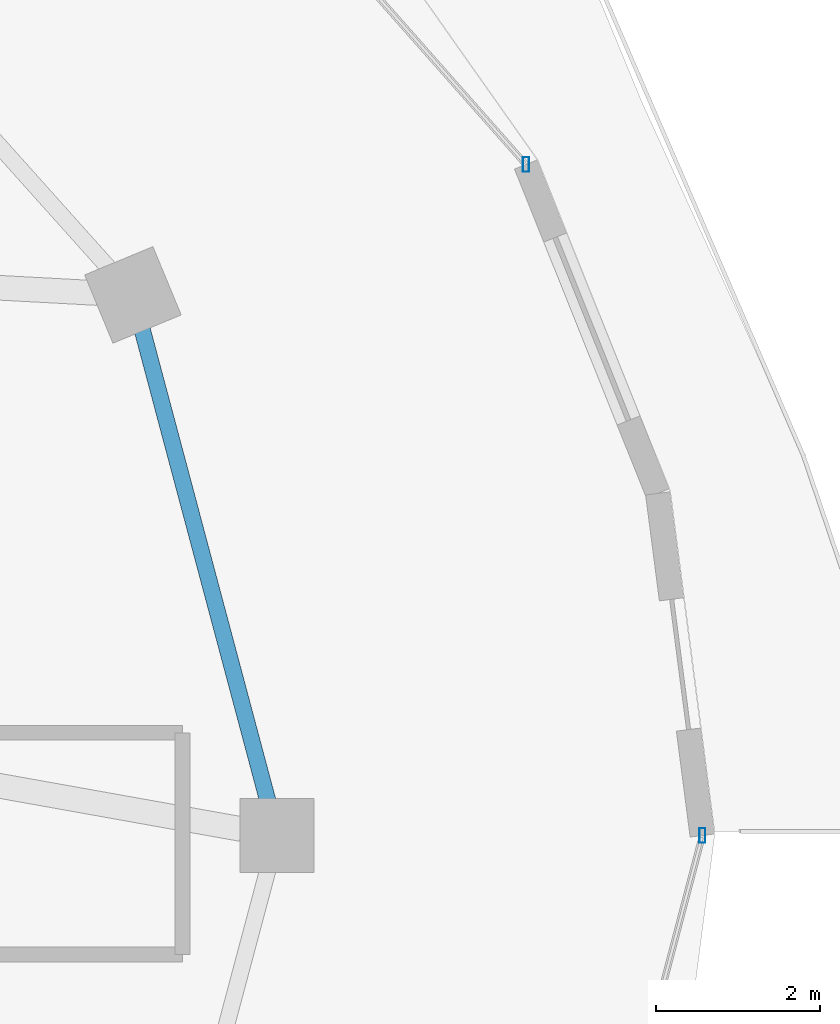
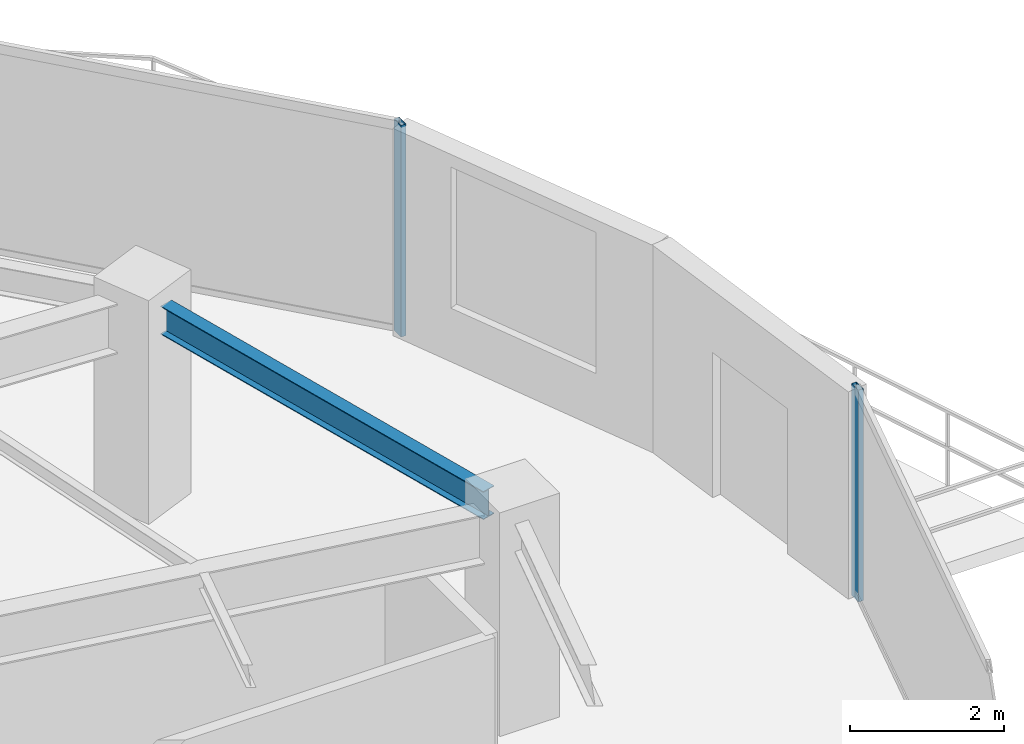
# One storey, part 15 of 32: 2 members, 1 beam, 2 elements without a shape of their own.
"""IFC4 building model written with IfcOpenShell, lengths in metres."""

import ifcopenshell
import ifcopenshell.guid

model = None  # the IFC model being written
_history = None  # IfcOwnerHistory: only IFC2X3 demands one
_inside = {}  # id of a spatial element -> (the spatial element, [elements in it])
_under = {}  # id of a project, library or spatial element -> (it, [spatial elements below it])
_declared = {}  # id of a project -> (the project, [libraries it declares])
_typed = {}  # id of a type object -> (the type object, [elements of that type])
_made_of = {}  # id of a material, layer set ... -> (it, [elements and type objects made of it])


def new_model(schema):
    """Start an empty IFC model of exactly this schema.

    Asked for "IFC4X3", IfcOpenShell would pick the latest addendum, in which some entities
    have other attributes; the version numbers below select the first issue.
    IFC2X3 requires an IfcOwnerHistory on every rooted entity: one is made here for all.
    """
    global model, _history
    if schema == "IFC4X3":
        model = ifcopenshell.file(schema_version=(4, 3, 0, 0))
    else:
        model = ifcopenshell.file(schema=schema)
    _inside.clear()
    _under.clear()
    _declared.clear()
    _typed.clear()
    _made_of.clear()
    _history = None
    if model.schema == "IFC2X3":
        org = make("IfcOrganization", Name="unknown")
        user = make(
            "IfcPersonAndOrganization",
            ThePerson=make("IfcPerson", FamilyName="unknown"),
            TheOrganization=org,
        )
        app = make(
            "IfcApplication",
            ApplicationDeveloper=org,
            Version="unknown",
            ApplicationFullName="unknown",
            ApplicationIdentifier="unknown",
        )
        _history = make(
            "IfcOwnerHistory",
            OwningUser=user,
            OwningApplication=app,
            ChangeAction="ADDED",
            CreationDate=0,
        )
    return model


def make(cls, **values):
    """One entity of the class cls with the attributes given. An attribute that is None is left unset."""
    return model.create_entity(
        cls, **{name: value for name, value in values.items() if value is not None}
    )


def rooted(cls, **values):
    """An entity with a GlobalId (a new one), such as an element, a storey or a relation."""
    return make(cls, GlobalId=ifcopenshell.guid.new(), OwnerHistory=_history, **values)


def si_unit(unit_type, name, prefix=None):
    """IfcSIUnit, for example si_unit("LENGTHUNIT", "METRE", prefix="MILLI")."""
    return make("IfcSIUnit", UnitType=unit_type, Prefix=prefix, Name=name)


def assignment(units):
    """IfcUnitAssignment: the units of a project."""
    return None if units is None else make("IfcUnitAssignment", Units=units)


def point(xyz):
    """IfcCartesianPoint."""
    return None if xyz is None else make("IfcCartesianPoint", Coordinates=xyz)


def direction(xyz):
    """IfcDirection."""
    return None if xyz is None else make("IfcDirection", DirectionRatios=xyz)


def frame(location, z_axis=None, x_axis=None):
    """IfcAxis2Placement3D, a coordinate frame: its origin and axes. An axis left out is left unset."""
    return make(
        "IfcAxis2Placement3D",
        Location=point(location),
        Axis=direction(z_axis),
        RefDirection=direction(x_axis),
    )


def frame_2d(location, x_axis=None):
    """IfcAxis2Placement2D, a coordinate frame in the plane: its origin and x axis."""
    return make(
        "IfcAxis2Placement2D", Location=point(location), RefDirection=direction(x_axis)
    )


def origin():
    """The frame at (0, 0, 0) with its axes left unset."""
    return frame((0.0, 0.0, 0.0))


def origin_2d():
    """The frame at (0, 0) in the plane with its x axis left unset."""
    return frame_2d((0.0, 0.0))


def place(relative_to, where):
    """IfcLocalPlacement: puts the frame where relative to a parent placement (None: the world)."""
    return make(
        "IfcLocalPlacement", PlacementRelTo=relative_to, RelativePlacement=where
    )


def context(
    kind, dimensions, precision=None, world=None, true_north=None, identifier=None
):
    """IfcGeometricRepresentationContext, for example the 3D "Model" context."""
    return make(
        "IfcGeometricRepresentationContext",
        ContextIdentifier=identifier,
        ContextType=kind,
        CoordinateSpaceDimension=dimensions,
        Precision=precision,
        WorldCoordinateSystem=world,
        TrueNorth=true_north,
    )


def subcontext(parent, identifier, kind, view, scale=None):
    """IfcGeometricRepresentationSubContext, for example "Body" below "Model"."""
    return make(
        "IfcGeometricRepresentationSubContext",
        ContextIdentifier=identifier,
        ContextType=kind,
        ParentContext=parent,
        TargetScale=scale,
        TargetView=view,
    )


def project(units=None, contexts=None):
    """IfcProject with its units and contexts."""
    return rooted(
        "IfcProject",
        Name="project",
        RepresentationContexts=contexts,
        UnitsInContext=assignment(units),
    )


def spatial(cls, under=None, at=None, **own):
    """A site, building, storey or space (cls), placed at a placement, below another one or the project."""
    s = rooted(cls, ObjectPlacement=at, **own)
    if under is not None:
        _under.setdefault(under.id(), (under, []))[1].append(s)
    return s


def profile(cls, at=None, kind="AREA", **sizes):
    """A parametric profile (cls). Its sizes go by their IFC names, for example OverallWidth=200.0."""
    return make(cls, ProfileType=kind, Position=at, **sizes)


def hollow_rectangle(**sizes):
    """IfcRectangleHollowProfileDef."""
    return profile("IfcRectangleHollowProfileDef", **sizes)


def i_section(**sizes):
    """IfcIShapeProfileDef."""
    return profile("IfcIShapeProfileDef", **sizes)


def extrude(swept, where, along, depth):
    """IfcExtrudedAreaSolid: the profile swept, set in the frame where, extruded along a direction by depth."""
    return make(
        "IfcExtrudedAreaSolid",
        SweptArea=swept,
        Position=where,
        ExtrudedDirection=direction(along),
        Depth=depth,
    )


def shape(context_of_items, identifier, shape_type, items):
    """IfcShapeRepresentation: the items that make up one representation, for example the "Body"."""
    return make(
        "IfcShapeRepresentation",
        ContextOfItems=context_of_items,
        RepresentationIdentifier=identifier,
        RepresentationType=shape_type,
        Items=items,
    )


def material(Name=None, Category=None):
    """IfcMaterial."""
    return make("IfcMaterial", Name=Name, Category=Category)


def material_profile(
    of_material, cross_section, Name=None, Category=None, Priority=None
):
    """IfcMaterialProfile: a cross section and its material."""
    return make(
        "IfcMaterialProfile",
        Name=Name,
        Material=of_material,
        Profile=cross_section,
        Priority=Priority,
        Category=Category,
    )


def profile_set(profiles, Name=None, composite=None):
    """IfcMaterialProfileSet."""
    return make(
        "IfcMaterialProfileSet",
        Name=Name,
        MaterialProfiles=profiles,
        CompositeProfile=composite,
    )


def made_of(thing, what):
    """Note that an element or type object is made of a material, layer set ...; save() writes the relation."""
    if what is not None:
        _made_of.setdefault(what.id(), (what, []))[1].append(thing)
    return thing


def type_object(cls, material=None, **own):
    """A type object (cls), such as IfcWallType, which elements share."""
    return made_of(rooted(cls, **own), material)


def element(
    cls,
    number,
    at=None,
    inside=None,
    cuts=None,
    type_object=None,
    material=None,
    context=None,
    identifier="Body",
    shape_type=None,
    held_by="IfcProductDefinitionShape",
    body=None,
    shapes=None,
    **own,
):
    """One element of the class cls, such as IfcWall. Its Tag is "e" and its number.

    at: its placement. inside: the storey or other place that contains it. cuts: it is an
    opening in that element (IfcRelVoidsElement). A single representation is given by context,
    identifier, shape_type and body (its items); several are given by shapes. held_by: the class
    of the entity that holds the representations. save() writes the other relations.
    """
    e = rooted(cls, Tag="e%d" % number, ObjectPlacement=at, **own)
    if body is not None:
        shapes = [shape(context, identifier, shape_type, body)]
    if shapes is not None:
        e.Representation = make(held_by, Representations=shapes)
    if inside is not None:
        _inside.setdefault(inside.id(), (inside, []))[1].append(e)
    if cuts is not None:
        rooted(
            "IfcRelVoidsElement", RelatingBuildingElement=cuts, RelatedOpeningElement=e
        )
    if type_object is not None:
        _typed.setdefault(type_object.id(), (type_object, []))[1].append(e)
    return made_of(e, material)


def aggregate(whole, parts):
    """IfcRelAggregates: a whole, such as a stair, and the parts it consists of."""
    return rooted("IfcRelAggregates", RelatingObject=whole, RelatedObjects=parts)


def save(model, path):
    """Write the relations noted so far, then the file.

    IfcRelAggregates (storeys below a building ...), IfcRelContainedInSpatialStructure (elements
    in a storey), IfcRelDefinesByType, IfcRelAssociatesMaterial and IfcRelDeclares: one each for
    every whole, place, type object, material and project.
    """
    for whole, parts in _under.values():
        aggregate(whole, parts)
    for where, things in _inside.values():
        rooted(
            "IfcRelContainedInSpatialStructure",
            RelatedElements=things,
            RelatingStructure=where,
        )
    for kind, things in _typed.values():
        rooted("IfcRelDefinesByType", RelatedObjects=things, RelatingType=kind)
    for what, things in _made_of.values():
        rooted("IfcRelAssociatesMaterial", RelatedObjects=things, RelatingMaterial=what)
    for by, libraries in _declared.values():
        rooted("IfcRelDeclares", RelatingContext=by, RelatedDefinitions=libraries)
    model.write(path)


model = new_model("IFC4")

# Units and contexts
model_context = context("Model", 3, precision=1e-05, world=origin(), true_north=direction((0.0, 1.0)))
body_context = subcontext(model_context, "Body", "Model", "MODEL_VIEW")
ifc_project = project(units=[si_unit("LENGTHUNIT", "METRE"), si_unit("AREAUNIT", "SQUARE_METRE"), si_unit("VOLUMEUNIT", "CUBIC_METRE"), si_unit("PLANEANGLEUNIT", "RADIAN"), si_unit("MASSUNIT", "GRAM", prefix="KILO")], contexts=[model_context])

# Site, building, storey
site_placement = place(None, origin())
site = spatial("IfcSite", under=ifc_project, at=site_placement, CompositionType="ELEMENT")
building_placement = place(site_placement, origin())
building = spatial("IfcBuilding", under=site, at=building_placement, Name="Vorneva Point Tower", CompositionType="ELEMENT")
storey_placement = place(building_placement, frame((0.0, 0.0, 207.199951171875)))
storey = spatial("IfcBuildingStorey", under=building, at=storey_placement, Name="L56", CompositionType="ELEMENT", Elevation=207.199951171875)

# Beam
ifc_material_1 = material(Name="Steel S355", Category="steel")
ifc_material_profile_1 = material_profile(ifc_material_1, i_section(OverallWidth=0.198974609375, OverallDepth=0.446044921875, WebThickness=0.008056640625, FlangeThickness=0.011962890625, at=origin_2d()), Name="45B1")
ifc_profile_set_1 = profile_set([ifc_material_profile_1], Name="Steel S355")
beam_type = type_object("IfcBeamType", Name="BM-SPN-45B1", PredefinedType="SPANDREL", material=ifc_profile_set_1)
beam_placement = place(storey_placement, frame((60.93798828125, 26.42041015625, 3.067138671875), z_axis=(-0.257578258003, 0.966257440336, 0.0), x_axis=(-0.966257440336, -0.257578258003, 0.0)))
element("IfcBeam", 1, at=beam_placement, inside=storey, type_object=beam_type, Name="L56 Perimeter Spandrel Ring Beam 01", PredefinedType="SPANDREL", context=body_context, shape_type="SweptSolid", body=[
    extrude(i_section(OverallWidth=0.198974609375, OverallDepth=0.446044921875, WebThickness=0.008056640625, FlangeThickness=0.011962890625, at=origin_2d()), origin(), (0.0, 0.0, 1.0), 5.94189453125),
])

# Curtain wall, member
ifc_material_2 = material(Name="Pale anodised aluminium", Category="aluminium")
curtain_wall_type = type_object("IfcCurtainWallType", Name="CW-RES-SYS", PredefinedType="NOTDEFINED", material=ifc_material_2)
curtain_wall_1_placement = place(storey_placement, origin())
curtain_wall_1 = element("IfcCurtainWall", 2, at=curtain_wall_1_placement, inside=storey, type_object=curtain_wall_type, Name="L56 Unitised Curtain Wall CW-L56-R01", PredefinedType="NOTDEFINED")
ifc_material_profile_2 = material_profile(ifc_material_2, hollow_rectangle(XDim=0.074951171875, YDim=0.179931640625, WallThickness=0.00390625, at=origin_2d()), Name="AL-MUL 180x75x4")
ifc_profile_set_2 = profile_set([ifc_material_profile_2], Name="Pale anodised aluminium")
member_type = type_object("IfcMemberType", Name="CW-MUL-180", PredefinedType="MULLION", material=ifc_profile_set_2)
member_1_placement = place(storey_placement, frame((64.0810546875, 34.17041015625, -0.0400390625), z_axis=(0.0, 0.0, 1.0), x_axis=(1.0, 0.0, 0.0)))
member_1 = element("IfcMember", 3, at=member_1_placement, type_object=member_type, Name="CW-L56-R01 Mullion 01", PredefinedType="MULLION", context=body_context, shape_type="SweptSolid", body=[
    extrude(hollow_rectangle(XDim=0.074951171875, YDim=0.179931640625, WallThickness=0.00390625, at=origin_2d()), origin(), (0.0, 0.0, 1.0), 3.360107421875),
])
aggregate(curtain_wall_1, [member_1])

curtain_wall_2_placement = place(storey_placement, origin())
curtain_wall_2 = element("IfcCurtainWall", 4, at=curtain_wall_2_placement, inside=storey, type_object=curtain_wall_type, Name="L56 Unitised Curtain Wall CW-L56-R04", PredefinedType="NOTDEFINED")
member_2_placement = place(storey_placement, frame((66.22998046875, 26.0, -0.0400390625), z_axis=(0.0, 0.0, 1.0), x_axis=(1.0, 0.0, 0.0)))
member_2 = element("IfcMember", 5, at=member_2_placement, type_object=member_type, Name="CW-L56-R04 Mullion 03", PredefinedType="MULLION", context=body_context, shape_type="SweptSolid", body=[
    extrude(hollow_rectangle(XDim=0.074951171875, YDim=0.179931640625, WallThickness=0.00390625, at=origin_2d()), origin(), (0.0, 0.0, 1.0), 3.360107421875),
])
aggregate(curtain_wall_2, [member_2])

save(model, "model.ifc")
